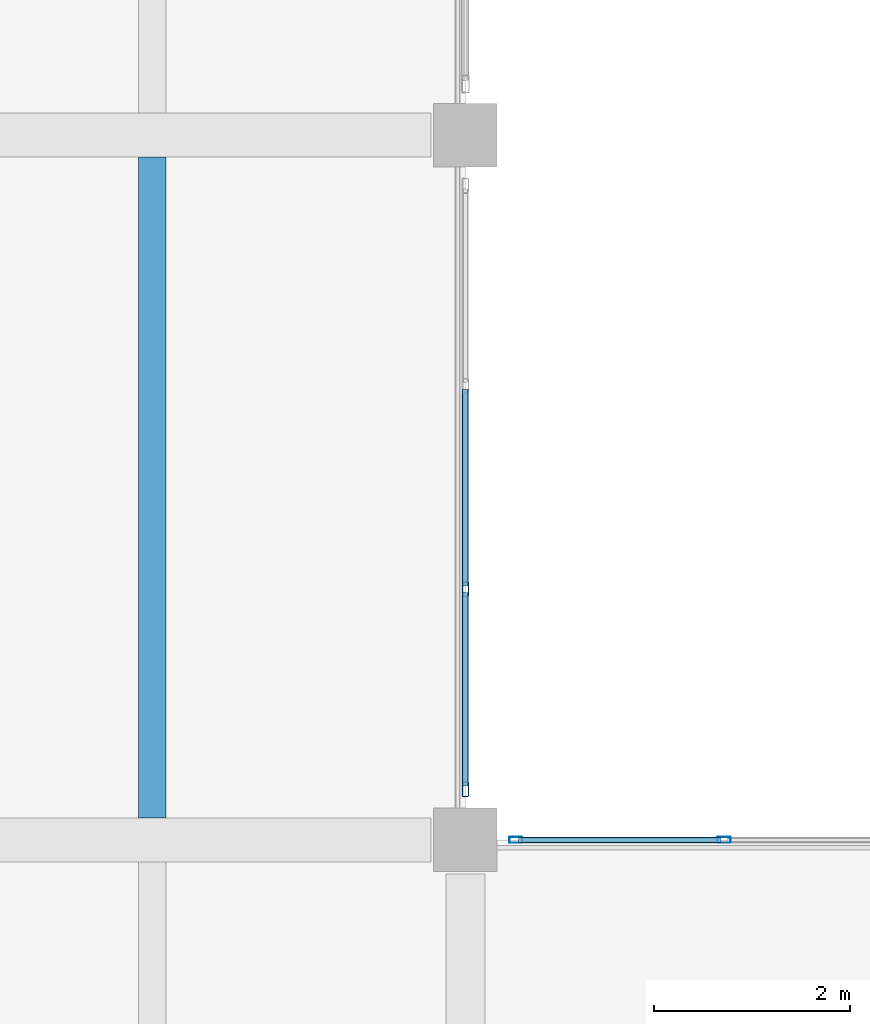
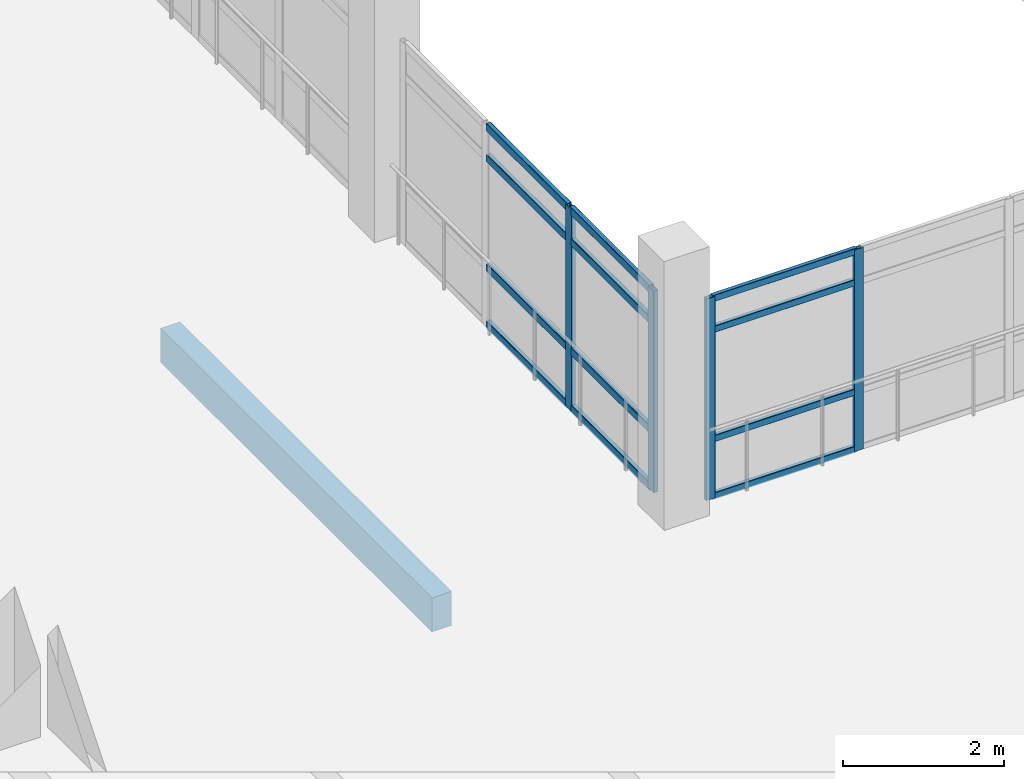
# One storey, part 18 of 134: 16 members, 1 beam, 2 elements without a shape of their own.
"""IFC4 building model written with IfcOpenShell, lengths in metres."""

from ifc_helpers import new_model, si_unit, direction, frame, origin, origin_2d, place, context, subcontext, project, spatial, rectangle, hollow_rectangle, extrude, material, layer, layer_set, material_profile, profile_set, type_object, element, aggregate, save


model = new_model("IFC4")

# Units and contexts
model_context = context("Model", 3, precision=1e-05, world=origin(), true_north=direction((0.0, 1.0)))
body_context = subcontext(model_context, "Body", "Model", "MODEL_VIEW")
ifc_project = project(units=[si_unit("LENGTHUNIT", "METRE"), si_unit("AREAUNIT", "SQUARE_METRE"), si_unit("VOLUMEUNIT", "CUBIC_METRE"), si_unit("PLANEANGLEUNIT", "RADIAN"), si_unit("MASSUNIT", "GRAM", prefix="KILO")], contexts=[model_context])

# Site, building, storey
site_placement = place(None, origin())
site = spatial("IfcSite", under=ifc_project, at=site_placement, CompositionType="ELEMENT")
building_placement = place(site_placement, origin())
building = spatial("IfcBuilding", under=site, at=building_placement, Name="Asteropetra Specialist Clinic", CompositionType="ELEMENT")
storey_placement = place(building_placement, frame((0.0, 0.0, 8.5)))
storey = spatial("IfcBuildingStorey", under=building, at=storey_placement, Name="L02", CompositionType="ELEMENT", Elevation=8.5)

# Curtain wall, members
ifc_material_1 = material(Name="Aluminium and low-E glass", Category="aluminium")
ifc_layer_1 = layer(ifc_material_1, 0.14990234375)
ifc_layer_set_1 = layer_set([ifc_layer_1], Name="Aluminium and low-E glass")
curtain_wall_type_1 = type_object("IfcCurtainWallType", Name="CW-SYS-08", PredefinedType="USERDEFINED", material=ifc_layer_set_1)
curtain_wall_1_placement = place(storey_placement, origin())
curtain_wall_1 = element("IfcCurtainWall", 1, at=curtain_wall_1_placement, inside=storey, type_object=curtain_wall_type_1, Name="Curtain Wall CW-077", ObjectType="STICK GLAZED COLONNADE", PredefinedType="USERDEFINED")
ifc_material_2 = material(Name="Aluminium 6063-T6", Category="aluminium")
ifc_material_profile_1 = material_profile(ifc_material_2, hollow_rectangle(XDim=0.06005859375, YDim=0.135009765625, WallThickness=0.00341796875, InnerFilletRadius=0.00341796875, OuterFilletRadius=0.007080078125, at=origin_2d()), Name="MUL 135x60x3.5")
ifc_profile_set_1 = profile_set([ifc_material_profile_1], Name="Aluminium 6063-T6")
member_type_1 = type_object("IfcMemberType", Name="CWM-135x60", PredefinedType="MULLION", material=ifc_profile_set_1)
member_1_placement = place(storey_placement, frame((125.31494140625, 19.199951171875, 0.0), z_axis=(0.0, 0.0, 1.0), x_axis=(0.0, 1.0, 0.0)))
member_1 = element("IfcMember", 2, at=member_1_placement, type_object=member_type_1, Name="CW-077 mullion 1", PredefinedType="MULLION", context=body_context, shape_type="SweptSolid", body=[
    extrude(hollow_rectangle(XDim=0.06005859375, YDim=0.135009765625, WallThickness=0.00341796875, InnerFilletRadius=0.00341796875, OuterFilletRadius=0.007080078125, at=origin_2d()), origin(), (0.0, 0.0, 1.0), 3.06005859375),
])
member_2_placement = place(storey_placement, frame((127.4423828125, 19.199951171875, 0.0), z_axis=(0.0, 0.0, 1.0), x_axis=(0.0, 1.0, 0.0)))
member_2 = element("IfcMember", 3, at=member_2_placement, type_object=member_type_1, Name="CW-077 mullion 2", PredefinedType="MULLION", context=body_context, shape_type="SweptSolid", body=[
    extrude(hollow_rectangle(XDim=0.06005859375, YDim=0.135009765625, WallThickness=0.00341796875, InnerFilletRadius=0.00341796875, OuterFilletRadius=0.007080078125, at=origin_2d()), origin(), (0.0, 0.0, 1.0), 3.06005859375),
])

ifc_material_3 = material(Name="Aluminium and low-E glass", Category="aluminium")
ifc_layer_2 = layer(ifc_material_3, 0.179931640625)
ifc_layer_set_2 = layer_set([ifc_layer_2], Name="Aluminium and low-E glass")
curtain_wall_type_2 = type_object("IfcCurtainWallType", Name="CW-SYS-10", PredefinedType="USERDEFINED", material=ifc_layer_set_2)
curtain_wall_2_placement = place(storey_placement, origin())
curtain_wall_2 = element("IfcCurtainWall", 4, at=curtain_wall_2_placement, inside=storey, type_object=curtain_wall_type_2, Name="Curtain Wall CW-079", ObjectType="STICK GLAZED COLONNADE", PredefinedType="USERDEFINED")
ifc_material_4 = material(Name="Aluminium 6063-T6", Category="aluminium")
ifc_material_profile_2 = material_profile(ifc_material_4, hollow_rectangle(XDim=0.06494140625, YDim=0.14990234375, WallThickness=0.00390625, InnerFilletRadius=0.00390625, OuterFilletRadius=0.008056640625, at=origin_2d()), Name="MUL 150x65x4.0")
ifc_profile_set_2 = profile_set([ifc_material_profile_2], Name="Aluminium 6063-T6")
member_type_2 = type_object("IfcMemberType", Name="CWM-150x65", PredefinedType="MULLION", material=ifc_profile_set_2)
member_3_placement = place(storey_placement, frame((124.800048828125, 21.76171875, 0.0), z_axis=(0.0, 0.0, 1.0), x_axis=(1.0, 0.0, 0.0)))
member_3 = element("IfcMember", 5, at=member_3_placement, type_object=member_type_2, Name="CW-079 mullion 3", PredefinedType="MULLION", context=body_context, shape_type="SweptSolid", body=[
    extrude(hollow_rectangle(XDim=0.06494140625, YDim=0.14990234375, WallThickness=0.00390625, InnerFilletRadius=0.00390625, OuterFilletRadius=0.008056640625, at=origin_2d()), origin(), (0.0, 0.0, 1.0), 3.06005859375),
])
member_4_placement = place(storey_placement, frame((124.800048828125, 19.717529296875, 0.0), z_axis=(0.0, 0.0, 1.0), x_axis=(1.0, 0.0, 0.0)))
member_4 = element("IfcMember", 6, at=member_4_placement, type_object=member_type_2, Name="CW-079 mullion 4", PredefinedType="MULLION", context=body_context, shape_type="SweptSolid", body=[
    extrude(hollow_rectangle(XDim=0.06494140625, YDim=0.14990234375, WallThickness=0.00390625, InnerFilletRadius=0.00390625, OuterFilletRadius=0.008056640625, at=origin_2d()), origin(), (0.0, 0.0, 1.0), 3.06005859375),
])

# Member
ifc_material_5 = material(Name="Aluminium 6063-T6", Category="aluminium")
ifc_material_profile_3 = material_profile(ifc_material_5, hollow_rectangle(XDim=0.06005859375, YDim=0.10009765625, WallThickness=0.00341796875, InnerFilletRadius=0.00341796875, OuterFilletRadius=0.007080078125, at=origin_2d()), Name="TRN 100x60x3.5")
ifc_profile_set_3 = profile_set([ifc_material_profile_3], Name="Aluminium 6063-T6")
member_type_3 = type_object("IfcMemberType", Name="CWT-100x60", PredefinedType="USERDEFINED", material=ifc_profile_set_3)
member_5_placement = place(storey_placement, frame((125.344970703125, 19.199951171875, 0.030029296875), z_axis=(1.0, 0.0, 0.0), x_axis=(0.0, 1.0, 0.0)))
member_5 = element("IfcMember", 7, at=member_5_placement, type_object=member_type_3, Name="CW-077 transom 1.1", ObjectType="TRANSOM", PredefinedType="USERDEFINED", context=body_context, shape_type="SweptSolid", body=[
    extrude(hollow_rectangle(XDim=0.06005859375, YDim=0.10009765625, WallThickness=0.00341796875, InnerFilletRadius=0.00341796875, OuterFilletRadius=0.007080078125, at=origin_2d()), origin(), (0.0, 0.0, 1.0), 2.067626953125),
])

member_6_placement = place(storey_placement, frame((125.344970703125, 19.199951171875, 0.89990234375), z_axis=(1.0, 0.0, 0.0), x_axis=(0.0, 1.0, 0.0)))
member_6 = element("IfcMember", 8, at=member_6_placement, type_object=member_type_3, Name="CW-077 transom 1.2", ObjectType="TRANSOM", PredefinedType="USERDEFINED", context=body_context, shape_type="SweptSolid", body=[
    extrude(hollow_rectangle(XDim=0.06005859375, YDim=0.10009765625, WallThickness=0.00341796875, InnerFilletRadius=0.00341796875, OuterFilletRadius=0.007080078125, at=origin_2d()), origin(), (0.0, 0.0, 1.0), 2.067626953125),
])

member_7_placement = place(storey_placement, frame((125.344970703125, 19.199951171875, 2.56005859375), z_axis=(1.0, 0.0, 0.0), x_axis=(0.0, 1.0, 0.0)))
member_7 = element("IfcMember", 9, at=member_7_placement, type_object=member_type_3, Name="CW-077 transom 1.3", ObjectType="TRANSOM", PredefinedType="USERDEFINED", context=body_context, shape_type="SweptSolid", body=[
    extrude(hollow_rectangle(XDim=0.06005859375, YDim=0.10009765625, WallThickness=0.00341796875, InnerFilletRadius=0.00341796875, OuterFilletRadius=0.007080078125, at=origin_2d()), origin(), (0.0, 0.0, 1.0), 2.067626953125),
])

member_8_placement = place(storey_placement, frame((125.344970703125, 19.199951171875, 3.030029296875), z_axis=(1.0, 0.0, 0.0), x_axis=(0.0, 1.0, 0.0)))
member_8 = element("IfcMember", 10, at=member_8_placement, type_object=member_type_3, Name="CW-077 transom 1.4", ObjectType="TRANSOM", PredefinedType="USERDEFINED", context=body_context, shape_type="SweptSolid", body=[
    extrude(hollow_rectangle(XDim=0.06005859375, YDim=0.10009765625, WallThickness=0.00341796875, InnerFilletRadius=0.00341796875, OuterFilletRadius=0.007080078125, at=origin_2d()), origin(), (0.0, 0.0, 1.0), 2.067626953125),
])

aggregate(curtain_wall_1, [member_1, member_2, member_5, member_6, member_7, member_8])

ifc_material_6 = material(Name="Aluminium 6063-T6", Category="aluminium")
ifc_material_profile_4 = material_profile(ifc_material_6, hollow_rectangle(XDim=0.06494140625, YDim=0.1201171875, WallThickness=0.00390625, InnerFilletRadius=0.00390625, OuterFilletRadius=0.008056640625, at=origin_2d()), Name="TRN 120x65x4.0")
ifc_profile_set_4 = profile_set([ifc_material_profile_4], Name="Aluminium 6063-T6")
member_type_4 = type_object("IfcMemberType", Name="CWT-120x65", PredefinedType="USERDEFINED", material=ifc_profile_set_4)
member_9_placement = place(storey_placement, frame((124.800048828125, 23.805908203125, 0.032470703125), z_axis=(0.0, -1.0, 0.0), x_axis=(1.0, 0.0, 0.0)))
member_9 = element("IfcMember", 11, at=member_9_placement, type_object=member_type_4, Name="CW-079 transom 2.1", ObjectType="TRANSOM", PredefinedType="USERDEFINED", context=body_context, shape_type="SweptSolid", body=[
    extrude(hollow_rectangle(XDim=0.06494140625, YDim=0.1201171875, WallThickness=0.00390625, InnerFilletRadius=0.00390625, OuterFilletRadius=0.008056640625, at=origin_2d()), origin(), (0.0, 0.0, 1.0), 2.01171875),
])

member_10_placement = place(storey_placement, frame((124.800048828125, 23.805908203125, 0.89990234375), z_axis=(0.0, -1.0, 0.0), x_axis=(1.0, 0.0, 0.0)))
member_10 = element("IfcMember", 12, at=member_10_placement, type_object=member_type_4, Name="CW-079 transom 2.2", ObjectType="TRANSOM", PredefinedType="USERDEFINED", context=body_context, shape_type="SweptSolid", body=[
    extrude(hollow_rectangle(XDim=0.06494140625, YDim=0.1201171875, WallThickness=0.00390625, InnerFilletRadius=0.00390625, OuterFilletRadius=0.008056640625, at=origin_2d()), origin(), (0.0, 0.0, 1.0), 2.01171875),
])

member_11_placement = place(storey_placement, frame((124.800048828125, 23.805908203125, 2.56005859375), z_axis=(0.0, -1.0, 0.0), x_axis=(1.0, 0.0, 0.0)))
member_11 = element("IfcMember", 13, at=member_11_placement, type_object=member_type_4, Name="CW-079 transom 2.3", ObjectType="TRANSOM", PredefinedType="USERDEFINED", context=body_context, shape_type="SweptSolid", body=[
    extrude(hollow_rectangle(XDim=0.06494140625, YDim=0.1201171875, WallThickness=0.00390625, InnerFilletRadius=0.00390625, OuterFilletRadius=0.008056640625, at=origin_2d()), origin(), (0.0, 0.0, 1.0), 2.01171875),
])

member_12_placement = place(storey_placement, frame((124.800048828125, 23.805908203125, 3.027587890625), z_axis=(0.0, -1.0, 0.0), x_axis=(1.0, 0.0, 0.0)))
member_12 = element("IfcMember", 14, at=member_12_placement, type_object=member_type_4, Name="CW-079 transom 2.4", ObjectType="TRANSOM", PredefinedType="USERDEFINED", context=body_context, shape_type="SweptSolid", body=[
    extrude(hollow_rectangle(XDim=0.06494140625, YDim=0.1201171875, WallThickness=0.00390625, InnerFilletRadius=0.00390625, OuterFilletRadius=0.008056640625, at=origin_2d()), origin(), (0.0, 0.0, 1.0), 2.01171875),
])

member_13_placement = place(storey_placement, frame((124.800048828125, 21.729248046875, 0.032470703125), z_axis=(0.0, -1.0, 0.0), x_axis=(1.0, 0.0, 0.0)))
member_13 = element("IfcMember", 15, at=member_13_placement, type_object=member_type_4, Name="CW-079 transom 3.1", ObjectType="TRANSOM", PredefinedType="USERDEFINED", context=body_context, shape_type="SweptSolid", body=[
    extrude(hollow_rectangle(XDim=0.06494140625, YDim=0.1201171875, WallThickness=0.00390625, InnerFilletRadius=0.00390625, OuterFilletRadius=0.008056640625, at=origin_2d()), origin(), (0.0, 0.0, 1.0), 1.979248046875),
])

member_14_placement = place(storey_placement, frame((124.800048828125, 21.729248046875, 0.89990234375), z_axis=(0.0, -1.0, 0.0), x_axis=(1.0, 0.0, 0.0)))
member_14 = element("IfcMember", 16, at=member_14_placement, type_object=member_type_4, Name="CW-079 transom 3.2", ObjectType="TRANSOM", PredefinedType="USERDEFINED", context=body_context, shape_type="SweptSolid", body=[
    extrude(hollow_rectangle(XDim=0.06494140625, YDim=0.1201171875, WallThickness=0.00390625, InnerFilletRadius=0.00390625, OuterFilletRadius=0.008056640625, at=origin_2d()), origin(), (0.0, 0.0, 1.0), 1.979248046875),
])

member_15_placement = place(storey_placement, frame((124.800048828125, 21.729248046875, 2.56005859375), z_axis=(0.0, -1.0, 0.0), x_axis=(1.0, 0.0, 0.0)))
member_15 = element("IfcMember", 17, at=member_15_placement, type_object=member_type_4, Name="CW-079 transom 3.3", ObjectType="TRANSOM", PredefinedType="USERDEFINED", context=body_context, shape_type="SweptSolid", body=[
    extrude(hollow_rectangle(XDim=0.06494140625, YDim=0.1201171875, WallThickness=0.00390625, InnerFilletRadius=0.00390625, OuterFilletRadius=0.008056640625, at=origin_2d()), origin(), (0.0, 0.0, 1.0), 1.979248046875),
])

member_16_placement = place(storey_placement, frame((124.800048828125, 21.729248046875, 3.027587890625), z_axis=(0.0, -1.0, 0.0), x_axis=(1.0, 0.0, 0.0)))
member_16 = element("IfcMember", 18, at=member_16_placement, type_object=member_type_4, Name="CW-079 transom 3.4", ObjectType="TRANSOM", PredefinedType="USERDEFINED", context=body_context, shape_type="SweptSolid", body=[
    extrude(hollow_rectangle(XDim=0.06494140625, YDim=0.1201171875, WallThickness=0.00390625, InnerFilletRadius=0.00390625, OuterFilletRadius=0.008056640625, at=origin_2d()), origin(), (0.0, 0.0, 1.0), 1.979248046875),
])

aggregate(curtain_wall_2, [member_3, member_4, member_9, member_10, member_11, member_12, member_13, member_14, member_15, member_16])

# Beam
ifc_material_7 = material(Name="Concrete C35/45", Category="concrete")
ifc_material_profile_5 = material_profile(ifc_material_7, rectangle(XDim=0.280029296875, YDim=0.52001953125, at=origin_2d()), Name="RCJ 280x520")
ifc_profile_set_5 = profile_set([ifc_material_profile_5], Name="Concrete C35/45")
beam_type = type_object("IfcBeamType", Name="JST-RC280x520", PredefinedType="JOIST", material=ifc_profile_set_5)
beam_placement = place(storey_placement, frame((121.60009765625, 19.425048828125, -0.56005859375), z_axis=(0.0, 1.0, 0.0), x_axis=(-1.0, 0.0, 0.0)))
element("IfcBeam", 19, at=beam_placement, inside=storey, type_object=beam_type, Name="Joist JJST01-1200", PredefinedType="JOIST", context=body_context, shape_type="SweptSolid", body=[
    extrude(rectangle(XDim=0.280029296875, YDim=0.52001953125, at=origin_2d()), origin(), (0.0, 0.0, 1.0), 6.75),
])

save(model, "model.ifc")
